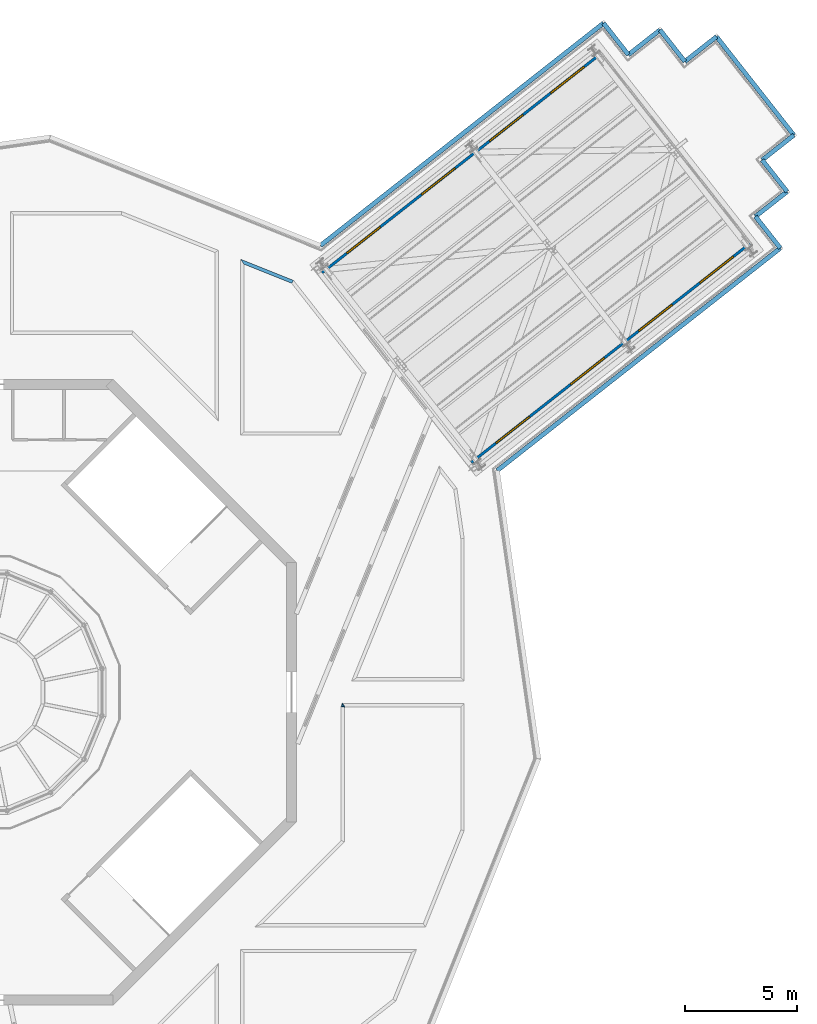
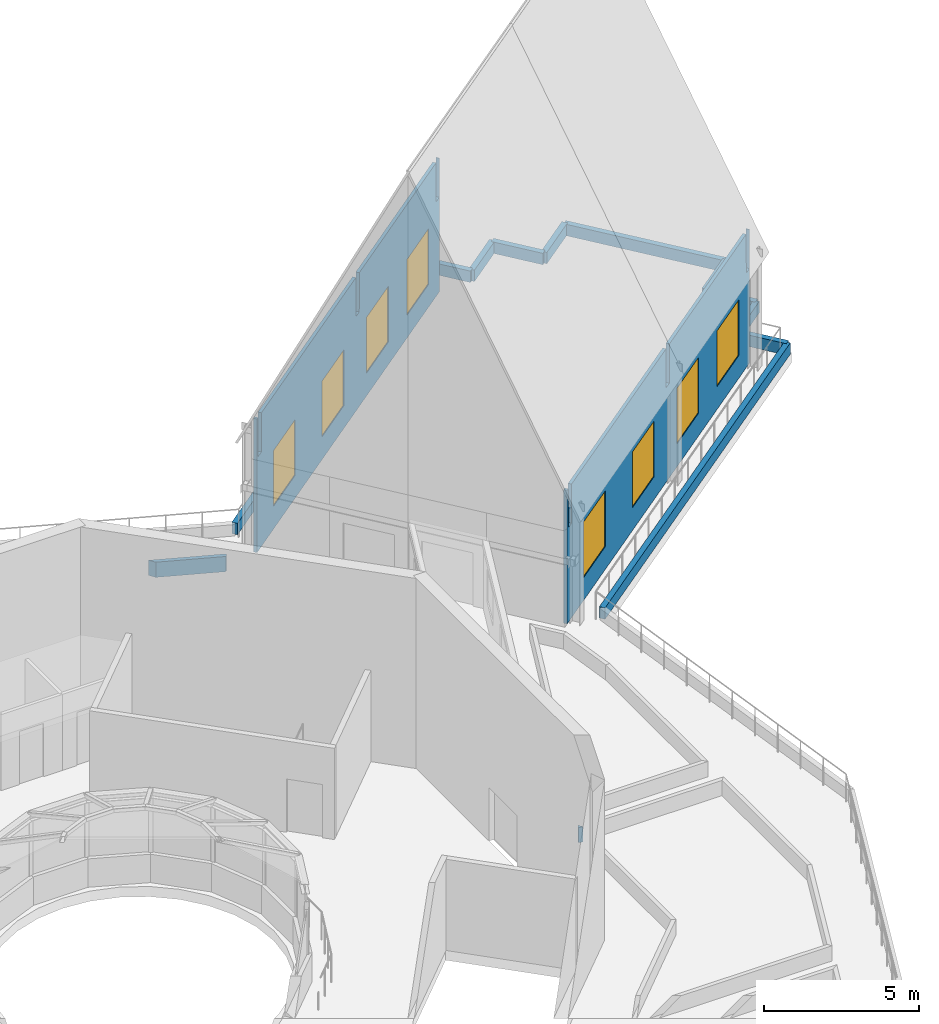
# One storey, part 17 of 32: 15 walls, 8 windows, 8 openings.
"""IFC4 building model written with IfcOpenShell, lengths in metres."""

import ifcopenshell
import ifcopenshell.guid

model = None  # the IFC model being written
_history = None  # IfcOwnerHistory: only IFC2X3 demands one
_inside = {}  # id of a spatial element -> (the spatial element, [elements in it])
_under = {}  # id of a project, library or spatial element -> (it, [spatial elements below it])
_declared = {}  # id of a project -> (the project, [libraries it declares])
_typed = {}  # id of a type object -> (the type object, [elements of that type])
_made_of = {}  # id of a material, layer set ... -> (it, [elements and type objects made of it])


def new_model(schema):
    """Start an empty IFC model of exactly this schema.

    Asked for "IFC4X3", IfcOpenShell would pick the latest addendum, in which some entities
    have other attributes; the version numbers below select the first issue.
    IFC2X3 requires an IfcOwnerHistory on every rooted entity: one is made here for all.
    """
    global model, _history
    if schema == "IFC4X3":
        model = ifcopenshell.file(schema_version=(4, 3, 0, 0))
    else:
        model = ifcopenshell.file(schema=schema)
    _inside.clear()
    _under.clear()
    _declared.clear()
    _typed.clear()
    _made_of.clear()
    _history = None
    if model.schema == "IFC2X3":
        org = make("IfcOrganization", Name="unknown")
        user = make(
            "IfcPersonAndOrganization",
            ThePerson=make("IfcPerson", FamilyName="unknown"),
            TheOrganization=org,
        )
        app = make(
            "IfcApplication",
            ApplicationDeveloper=org,
            Version="unknown",
            ApplicationFullName="unknown",
            ApplicationIdentifier="unknown",
        )
        _history = make(
            "IfcOwnerHistory",
            OwningUser=user,
            OwningApplication=app,
            ChangeAction="ADDED",
            CreationDate=0,
        )
    return model


def make(cls, **values):
    """One entity of the class cls with the attributes given. An attribute that is None is left unset."""
    return model.create_entity(
        cls, **{name: value for name, value in values.items() if value is not None}
    )


def rooted(cls, **values):
    """An entity with a GlobalId (a new one), such as an element, a storey or a relation."""
    return make(cls, GlobalId=ifcopenshell.guid.new(), OwnerHistory=_history, **values)


def si_unit(unit_type, name, prefix=None):
    """IfcSIUnit, for example si_unit("LENGTHUNIT", "METRE", prefix="MILLI")."""
    return make("IfcSIUnit", UnitType=unit_type, Prefix=prefix, Name=name)


def assignment(units):
    """IfcUnitAssignment: the units of a project."""
    return None if units is None else make("IfcUnitAssignment", Units=units)


def point(xyz):
    """IfcCartesianPoint."""
    return None if xyz is None else make("IfcCartesianPoint", Coordinates=xyz)


def direction(xyz):
    """IfcDirection."""
    return None if xyz is None else make("IfcDirection", DirectionRatios=xyz)


def frame(location, z_axis=None, x_axis=None):
    """IfcAxis2Placement3D, a coordinate frame: its origin and axes. An axis left out is left unset."""
    return make(
        "IfcAxis2Placement3D",
        Location=point(location),
        Axis=direction(z_axis),
        RefDirection=direction(x_axis),
    )


def frame_2d(location, x_axis=None):
    """IfcAxis2Placement2D, a coordinate frame in the plane: its origin and x axis."""
    return make(
        "IfcAxis2Placement2D", Location=point(location), RefDirection=direction(x_axis)
    )


def origin():
    """The frame at (0, 0, 0) with its axes left unset."""
    return frame((0.0, 0.0, 0.0))


def place(relative_to, where):
    """IfcLocalPlacement: puts the frame where relative to a parent placement (None: the world)."""
    return make(
        "IfcLocalPlacement", PlacementRelTo=relative_to, RelativePlacement=where
    )


def context(
    kind, dimensions, precision=None, world=None, true_north=None, identifier=None
):
    """IfcGeometricRepresentationContext, for example the 3D "Model" context."""
    return make(
        "IfcGeometricRepresentationContext",
        ContextIdentifier=identifier,
        ContextType=kind,
        CoordinateSpaceDimension=dimensions,
        Precision=precision,
        WorldCoordinateSystem=world,
        TrueNorth=true_north,
    )


def subcontext(parent, identifier, kind, view, scale=None):
    """IfcGeometricRepresentationSubContext, for example "Body" below "Model"."""
    return make(
        "IfcGeometricRepresentationSubContext",
        ContextIdentifier=identifier,
        ContextType=kind,
        ParentContext=parent,
        TargetScale=scale,
        TargetView=view,
    )


def project(units=None, contexts=None):
    """IfcProject with its units and contexts."""
    return rooted(
        "IfcProject",
        Name="project",
        RepresentationContexts=contexts,
        UnitsInContext=assignment(units),
    )


def spatial(cls, under=None, at=None, **own):
    """A site, building, storey or space (cls), placed at a placement, below another one or the project."""
    s = rooted(cls, ObjectPlacement=at, **own)
    if under is not None:
        _under.setdefault(under.id(), (under, []))[1].append(s)
    return s


def polyline(points):
    """IfcPolyline through the points."""
    return make("IfcPolyline", Points=[point(p) for p in points])


def profile(cls, at=None, kind="AREA", **sizes):
    """A parametric profile (cls). Its sizes go by their IFC names, for example OverallWidth=200.0."""
    return make(cls, ProfileType=kind, Position=at, **sizes)


def rectangle(**sizes):
    """IfcRectangleProfileDef."""
    return profile("IfcRectangleProfileDef", **sizes)


def outline(outer, holes=None, kind="AREA"):
    """IfcArbitraryClosedProfileDef: a profile drawn as a closed curve; with holes, ...WithVoids."""
    if holes is None:
        return make("IfcArbitraryClosedProfileDef", ProfileType=kind, OuterCurve=outer)
    return make(
        "IfcArbitraryProfileDefWithVoids",
        ProfileType=kind,
        OuterCurve=outer,
        InnerCurves=holes,
    )


def extrude(swept, where, along, depth):
    """IfcExtrudedAreaSolid: the profile swept, set in the frame where, extruded along a direction by depth."""
    return make(
        "IfcExtrudedAreaSolid",
        SweptArea=swept,
        Position=where,
        ExtrudedDirection=direction(along),
        Depth=depth,
    )


def shape(context_of_items, identifier, shape_type, items):
    """IfcShapeRepresentation: the items that make up one representation, for example the "Body"."""
    return make(
        "IfcShapeRepresentation",
        ContextOfItems=context_of_items,
        RepresentationIdentifier=identifier,
        RepresentationType=shape_type,
        Items=items,
    )


def material(Name=None, Category=None):
    """IfcMaterial."""
    return make("IfcMaterial", Name=Name, Category=Category)


def layer(
    of_material, thickness, ventilated=None, Name=None, Category=None, Priority=None
):
    """IfcMaterialLayer: one layer of a wall or slab, of a material (None: an air gap)."""
    return make(
        "IfcMaterialLayer",
        Material=of_material,
        LayerThickness=thickness,
        IsVentilated=ventilated,
        Name=Name,
        Category=Category,
        Priority=Priority,
    )


def layer_set(layers, Name=None):
    """IfcMaterialLayerSet."""
    return make("IfcMaterialLayerSet", MaterialLayers=layers, LayerSetName=Name)


def made_of(thing, what):
    """Note that an element or type object is made of a material, layer set ...; save() writes the relation."""
    if what is not None:
        _made_of.setdefault(what.id(), (what, []))[1].append(thing)
    return thing


def type_object(cls, material=None, **own):
    """A type object (cls), such as IfcWallType, which elements share."""
    return made_of(rooted(cls, **own), material)


def element(
    cls,
    number,
    at=None,
    inside=None,
    cuts=None,
    type_object=None,
    material=None,
    context=None,
    identifier="Body",
    shape_type=None,
    held_by="IfcProductDefinitionShape",
    body=None,
    shapes=None,
    **own,
):
    """One element of the class cls, such as IfcWall. Its Tag is "e" and its number.

    at: its placement. inside: the storey or other place that contains it. cuts: it is an
    opening in that element (IfcRelVoidsElement). A single representation is given by context,
    identifier, shape_type and body (its items); several are given by shapes. held_by: the class
    of the entity that holds the representations. save() writes the other relations.
    """
    e = rooted(cls, Tag="e%d" % number, ObjectPlacement=at, **own)
    if body is not None:
        shapes = [shape(context, identifier, shape_type, body)]
    if shapes is not None:
        e.Representation = make(held_by, Representations=shapes)
    if inside is not None:
        _inside.setdefault(inside.id(), (inside, []))[1].append(e)
    if cuts is not None:
        rooted(
            "IfcRelVoidsElement", RelatingBuildingElement=cuts, RelatedOpeningElement=e
        )
    if type_object is not None:
        _typed.setdefault(type_object.id(), (type_object, []))[1].append(e)
    return made_of(e, material)


def fill(opening, filler):
    """IfcRelFillsElement: the door or window that sits in an opening."""
    return rooted(
        "IfcRelFillsElement",
        RelatingOpeningElement=opening,
        RelatedBuildingElement=filler,
    )


def aggregate(whole, parts):
    """IfcRelAggregates: a whole, such as a stair, and the parts it consists of."""
    return rooted("IfcRelAggregates", RelatingObject=whole, RelatedObjects=parts)


def save(model, path):
    """Write the relations noted so far, then the file.

    IfcRelAggregates (storeys below a building ...), IfcRelContainedInSpatialStructure (elements
    in a storey), IfcRelDefinesByType, IfcRelAssociatesMaterial and IfcRelDeclares: one each for
    every whole, place, type object, material and project.
    """
    for whole, parts in _under.values():
        aggregate(whole, parts)
    for where, things in _inside.values():
        rooted(
            "IfcRelContainedInSpatialStructure",
            RelatedElements=things,
            RelatingStructure=where,
        )
    for kind, things in _typed.values():
        rooted("IfcRelDefinesByType", RelatedObjects=things, RelatingType=kind)
    for what, things in _made_of.values():
        rooted("IfcRelAssociatesMaterial", RelatedObjects=things, RelatingMaterial=what)
    for by, libraries in _declared.values():
        rooted("IfcRelDeclares", RelatingContext=by, RelatedDefinitions=libraries)
    model.write(path)


model = new_model("IFC4")

# Units and contexts
model_context = context("Model", 3, precision=1e-05, world=origin(), true_north=direction((0.0, 1.0)))
body_context = subcontext(model_context, "Body", "Model", "MODEL_VIEW")
ifc_project = project(units=[si_unit("LENGTHUNIT", "METRE"), si_unit("AREAUNIT", "SQUARE_METRE"), si_unit("VOLUMEUNIT", "CUBIC_METRE"), si_unit("PLANEANGLEUNIT", "RADIAN"), si_unit("MASSUNIT", "GRAM", prefix="KILO")], contexts=[model_context])

# Site, building, storey
site_placement = place(None, origin())
site = spatial("IfcSite", under=ifc_project, at=site_placement, CompositionType="ELEMENT")
building_placement = place(site_placement, origin())
building = spatial("IfcBuilding", under=site, at=building_placement, Name="Verdalira Terraces Hotel", CompositionType="ELEMENT")
storey_placement = place(building_placement, frame((0.0, 0.0, 315.0)))
storey = spatial("IfcBuildingStorey", under=building, at=storey_placement, Name="L78", CompositionType="ELEMENT", Elevation=315.0)

# Walls
ifc_material_1 = material(Name="Concrete C40", Category="concrete")
ifc_layer_1 = layer(ifc_material_1, 0.14990234375)
ifc_layer_set_1 = layer_set([ifc_layer_1], Name="Crown planter trough 150 x 600")
wall_type_1 = type_object("IfcWallType", Name="Crown planter trough 150 x 600", PredefinedType="SOLIDWALL", material=ifc_layer_set_1)
wall_1_placement = place(storey_placement, origin())
element("IfcWall", 1, at=wall_1_placement, inside=storey, type_object=wall_type_1, Name="Crown garden planter", PredefinedType="SOLIDWALL", context=body_context, shape_type="SweptSolid", body=[
    extrude(outline(polyline([(13.873779, 18.418945), (11.5, 19.370361), (11.649902, 19.148682), (13.780762, 18.294922), (13.873779, 18.418945)])), origin(), (0.0, 0.0, 1.0), 0.600098),
])
wall_2_placement = place(storey_placement, origin())
element("IfcWall", 2, at=wall_2_placement, inside=storey, type_object=wall_type_1, Name="Crown garden planter", PredefinedType="SOLIDWALL", context=body_context, shape_type="SweptSolid", body=[
    extrude(outline(polyline([(16.054932, -0.5), (16.0, -0.634766), (16.149902, -0.664062), (16.155762, -0.649902), (16.054932, -0.5)])), origin(), (0.0, 0.0, 1.0), 0.600098),
])
ifc_material_2 = material(Name="Concrete C40", Category="concrete")
ifc_layer_2 = layer(ifc_material_2, 0.199951171875)
ifc_layer_set_2 = layer_set([ifc_layer_2], Name="Crown upstand 200 x 450")
wall_type_2 = type_object("IfcWallType", Name="Crown upstand 200 x 450", PredefinedType="SOLIDWALL", material=ifc_layer_set_2)
wall_3_placement = place(storey_placement, frame((22.98291, 9.92041, 0.0), z_axis=(0.0, 0.0, 1.0), x_axis=(0.786290975, 0.617856378, 0.0)))
element("IfcWall", 3, at=wall_3_placement, inside=storey, type_object=wall_type_2, Name="Crown upstand", PredefinedType="SOLIDWALL", context=body_context, shape_type="SweptSolid", body=[
    extrude(rectangle(XDim=16.099365, YDim=0.199951, at=frame_2d((8.049805, 0.0))), origin(), (0.0, 0.0, 1.0), 0.449951),
])
wall_4_placement = place(storey_placement, frame((35.641602, 19.867432, 0.0), z_axis=(0.0, 0.0, 1.0), x_axis=(-0.617839523, 0.786304218, 0.0)))
element("IfcWall", 4, at=wall_4_placement, inside=storey, type_object=wall_type_2, Name="Crown upstand", PredefinedType="SOLIDWALL", context=body_context, shape_type="SweptSolid", body=[
    extrude(rectangle(XDim=1.799805, YDim=0.199951, at=frame_2d((0.899902, 0.0))), origin(), (0.0, 0.0, 1.0), 0.449951),
])
wall_5_placement = place(storey_placement, frame((34.529541, 21.282715, 0.0), z_axis=(0.0, 0.0, 1.0), x_axis=(0.786238324, 0.617923375, 0.0)))
element("IfcWall", 5, at=wall_5_placement, inside=storey, type_object=wall_type_2, Name="Crown upstand", PredefinedType="SOLIDWALL", context=body_context, shape_type="SweptSolid", body=[
    extrude(rectangle(XDim=1.800049, YDim=0.199951, at=frame_2d((0.899902, 0.0))), origin(), (0.0, 0.0, 1.0), 0.449951),
])
for number, where, z_axis, x_axis, name in (
    (6, (35.944824, 22.39502, 0.0), (0.0, 0.0, 1.0), (-0.617839523, 0.786304218, 0.0), "Crown upstand"),
    (7, (34.832764, 23.810303, 0.0), (0.0, 0.0, 1.0), (0.786304218, 0.617839523, 0.0), "Crown upstand"),
):
    element("IfcWall", number, at=place(storey_placement, frame(where, z_axis=z_axis, x_axis=x_axis)), inside=storey, type_object=wall_type_2, Name=name, PredefinedType="SOLIDWALL", context=body_context, shape_type="SweptSolid", body=[
        extrude(rectangle(XDim=1.799805, YDim=0.199951, at=frame_2d((0.899902, 0.0))), origin(), (0.0, 0.0, 1.0), 0.449951),
    ])
wall_6_placement = place(storey_placement, frame((36.248047, 24.922363, 0.0), z_axis=(0.0, 0.0, 1.0), x_axis=(-0.617844656, 0.786300185, 0.0)))
element("IfcWall", 8, at=wall_6_placement, inside=storey, type_object=wall_type_2, Name="Crown upstand", PredefinedType="SOLIDWALL", context=body_context, shape_type="SweptSolid", body=[
    extrude(rectangle(XDim=5.600098, YDim=0.199951, at=frame_2d((2.800049, 0.0))), origin(), (0.0, 0.0, 1.0), 0.449951),
])
wall_7_placement = place(storey_placement, frame((32.788086, 29.325684, 0.0), z_axis=(0.0, 0.0, 1.0), x_axis=(-0.786238324, -0.617923375, 0.0)))
element("IfcWall", 9, at=wall_7_placement, inside=storey, type_object=wall_type_2, Name="Crown upstand", PredefinedType="SOLIDWALL", context=body_context, shape_type="SweptSolid", body=[
    extrude(rectangle(XDim=1.800049, YDim=0.199951, at=frame_2d((0.899902, 0.0))), origin(), (0.0, 0.0, 1.0), 0.449951),
])
wall_8_placement = place(storey_placement, frame((31.372803, 28.213379, 0.0), z_axis=(0.0, 0.0, 1.0), x_axis=(-0.617857487, 0.786290103, 0.0)))
element("IfcWall", 10, at=wall_8_placement, inside=storey, type_object=wall_type_2, Name="Crown upstand", PredefinedType="SOLIDWALL", context=body_context, shape_type="SweptSolid", body=[
    extrude(rectangle(XDim=1.800293, YDim=0.199951, at=frame_2d((0.900146, 0.0))), origin(), (0.0, 0.0, 1.0), 0.449951),
])
wall_9_placement = place(storey_placement, frame((30.260498, 29.628906, 0.0), z_axis=(0.0, 0.0, 1.0), x_axis=(-0.786238324, -0.617923375, 0.0)))
element("IfcWall", 11, at=wall_9_placement, inside=storey, type_object=wall_type_2, Name="Crown upstand", PredefinedType="SOLIDWALL", context=body_context, shape_type="SweptSolid", body=[
    extrude(rectangle(XDim=1.800049, YDim=0.199951, at=frame_2d((0.899902, 0.0))), origin(), (0.0, 0.0, 1.0), 0.449951),
])
wall_10_placement = place(storey_placement, frame((28.845215, 28.516602, 0.0), z_axis=(0.0, 0.0, 1.0), x_axis=(-0.617839523, 0.786304218, 0.0)))
element("IfcWall", 12, at=wall_10_placement, inside=storey, type_object=wall_type_2, Name="Crown upstand", PredefinedType="SOLIDWALL", context=body_context, shape_type="SweptSolid", body=[
    extrude(rectangle(XDim=1.799805, YDim=0.199951, at=frame_2d((0.899902, 0.0))), origin(), (0.0, 0.0, 1.0), 0.449951),
])
wall_11_placement = place(storey_placement, frame((27.733154, 29.931885, 0.0), z_axis=(0.0, 0.0, 1.0), x_axis=(-0.786296764, -0.61784901, 0.0)))
element("IfcWall", 13, at=wall_11_placement, inside=storey, type_object=wall_type_2, Name="Crown upstand", PredefinedType="SOLIDWALL", context=body_context, shape_type="SweptSolid", body=[
    extrude(rectangle(XDim=16.099365, YDim=0.199951, at=frame_2d((8.049805, 0.0))), origin(), (0.0, 0.0, 1.0), 0.449951),
])

# Wall, openings, windows
ifc_material_3 = material(Name="Concrete C40", Category="concrete")
ifc_layer_3 = layer(ifc_material_3, 0.1201171875)
ifc_layer_set_3 = layer_set([ifc_layer_3], Name="Pavilion side wall G3 120 mm")
wall_type_3 = type_object("IfcWallType", Name="Pavilion side wall G3 120 mm", PredefinedType="SOLIDWALL", material=ifc_layer_set_3)
wall_12_placement = place(storey_placement, frame((15.143311, 18.76709, 0.0), z_axis=(0.0, 0.0, 1.0), x_axis=(0.786289484, 0.617858275, 0.0)))
wall_12 = element("IfcWall", 14, at=wall_12_placement, inside=storey, type_object=wall_type_3, Name="Garden pavilion side wall G3a", PredefinedType="SOLIDWALL", context=body_context, shape_type="SweptSolid", body=[
    extrude(outline(polyline([(0.0, 0.0), (15.854492, 0.0), (15.854492, 5.273438), (15.838379, 5.273438), (15.837402, 3.730957), (15.558594, 3.730957), (15.557617, 5.273438), (8.880127, 5.273438), (8.87915, 3.730957), (8.600098, 3.730957), (8.599121, 5.273438), (0.377686, 5.273438), (0.376709, 3.730957), (0.097656, 3.730957), (0.09668, 5.273438), (0.0, 5.273438), (0.0, 0.0)])), frame((0.0, 0.060059, 0.0), z_axis=(0.0, -1.0, 0.0), x_axis=(1.0, 0.0, 0.0)), (0.0, 0.0, 1.0), 0.120117),
])
opening_1_placement = place(wall_12_placement, frame((1.412354, 0.0, 0.899902)))
opening_1 = element("IfcOpeningElement", 15, at=opening_1_placement, cuts=wall_12, Name="Opening WGW", PredefinedType="OPENING", context=body_context, shape_type="SweptSolid", body=[
    extrude(rectangle(XDim=1.899902, YDim=2.199951, at=frame_2d((0.949951, 1.100098))), frame((0.0, 0.070068, 0.0), z_axis=(0.0, -1.0, 0.0), x_axis=(1.0, 0.0, 0.0)), (0.0, 0.0, 1.0), 0.140137),
])
opening_2_placement = place(wall_12_placement, frame((5.663574, 0.0, 0.899902)))
opening_2 = element("IfcOpeningElement", 16, at=opening_2_placement, cuts=wall_12, Name="Opening WGW", PredefinedType="OPENING", context=body_context, shape_type="SweptSolid", body=[
    extrude(rectangle(XDim=1.899902, YDim=2.199951, at=frame_2d((0.949951, 1.100098))), frame((0.0, 0.070068, 0.0), z_axis=(0.0, -1.0, 0.0), x_axis=(1.0, 0.0, 0.0)), (0.0, 0.0, 1.0), 0.140137),
])
opening_3_placement = place(wall_12_placement, frame((9.528809, 0.0, 0.899902)))
opening_3 = element("IfcOpeningElement", 17, at=opening_3_placement, cuts=wall_12, Name="Opening WGW", PredefinedType="OPENING", context=body_context, shape_type="SweptSolid", body=[
    extrude(rectangle(XDim=1.899902, YDim=2.199951, at=frame_2d((0.949951, 1.100098))), frame((0.0, 0.070068, 0.0), z_axis=(0.0, -1.0, 0.0), x_axis=(1.0, 0.0, 0.0)), (0.0, 0.0, 1.0), 0.140137),
])
opening_4_placement = place(wall_12_placement, frame((13.007812, 0.0, 0.899902)))
opening_4 = element("IfcOpeningElement", 18, at=opening_4_placement, cuts=wall_12, Name="Opening WGW", PredefinedType="OPENING", context=body_context, shape_type="SweptSolid", body=[
    extrude(rectangle(XDim=1.899902, YDim=2.199951, at=frame_2d((0.949951, 1.100098))), frame((0.0, 0.070068, 0.0), z_axis=(0.0, -1.0, 0.0), x_axis=(1.0, 0.0, 0.0)), (0.0, 0.0, 1.0), 0.140137),
])
ifc_material_4 = material(Name="Clear laminated glass", Category="glass")
window_type = type_object("IfcWindowType", Name="Pavilion window 1900 x 2200", PartitioningType="DOUBLE_PANEL_HORIZONTAL", PredefinedType="WINDOW", material=ifc_material_4)
window_1_placement = place(opening_1_placement, origin())
window_1 = element("IfcWindow", 19, at=window_1_placement, inside=storey, type_object=window_type, Name="Garden pavilion window", OverallHeight=2.199951171875, OverallWidth=1.89990234375, PartitioningType="DOUBLE_PANEL_HORIZONTAL", PredefinedType="WINDOW", context=body_context, shape_type="SweptSolid", body=[
    extrude(rectangle(XDim=1.899902, YDim=2.199951, at=frame_2d((0.949951, 1.100098))), frame((0.0, 0.030029, 0.0), z_axis=(0.0, -1.0, 0.0), x_axis=(1.0, 0.0, 0.0)), (0.0, 0.0, 1.0), 0.060059),
])
fill(opening_1, window_1)
window_2_placement = place(opening_2_placement, origin())
window_2 = element("IfcWindow", 20, at=window_2_placement, inside=storey, type_object=window_type, Name="Garden pavilion window", OverallHeight=2.199951171875, OverallWidth=1.89990234375, PartitioningType="DOUBLE_PANEL_HORIZONTAL", PredefinedType="WINDOW", context=body_context, shape_type="SweptSolid", body=[
    extrude(rectangle(XDim=1.899902, YDim=2.199951, at=frame_2d((0.949951, 1.100098))), frame((0.0, 0.030029, 0.0), z_axis=(0.0, -1.0, 0.0), x_axis=(1.0, 0.0, 0.0)), (0.0, 0.0, 1.0), 0.060059),
])
fill(opening_2, window_2)
window_3_placement = place(opening_3_placement, origin())
window_3 = element("IfcWindow", 21, at=window_3_placement, inside=storey, type_object=window_type, Name="Garden pavilion window", OverallHeight=2.199951171875, OverallWidth=1.89990234375, PartitioningType="DOUBLE_PANEL_HORIZONTAL", PredefinedType="WINDOW", context=body_context, shape_type="SweptSolid", body=[
    extrude(rectangle(XDim=1.899902, YDim=2.199951, at=frame_2d((0.949951, 1.100098))), frame((0.0, 0.030029, 0.0), z_axis=(0.0, -1.0, 0.0), x_axis=(1.0, 0.0, 0.0)), (0.0, 0.0, 1.0), 0.060059),
])
fill(opening_3, window_3)
window_4_placement = place(opening_4_placement, origin())
window_4 = element("IfcWindow", 22, at=window_4_placement, inside=storey, type_object=window_type, Name="Garden pavilion window", OverallHeight=2.199951171875, OverallWidth=1.89990234375, PartitioningType="DOUBLE_PANEL_HORIZONTAL", PredefinedType="WINDOW", context=body_context, shape_type="SweptSolid", body=[
    extrude(rectangle(XDim=1.899902, YDim=2.199951, at=frame_2d((0.949951, 1.100098))), frame((0.0, 0.030029, 0.0), z_axis=(0.0, -1.0, 0.0), x_axis=(1.0, 0.0, 0.0)), (0.0, 0.0, 1.0), 0.060059),
])
fill(opening_4, window_4)

wall_13_placement = place(storey_placement, frame((21.816162, 10.275391, 0.0), z_axis=(0.0, 0.0, 1.0), x_axis=(0.786296965, 0.617848755, 0.0)))
wall_13 = element("IfcWall", 23, at=wall_13_placement, inside=storey, type_object=wall_type_3, Name="Garden pavilion side wall G3b", PredefinedType="SOLIDWALL", context=body_context, shape_type="SweptSolid", body=[
    extrude(outline(polyline([(0.0, 0.0), (15.854492, 0.0), (15.854492, 5.273438), (15.838379, 5.273438), (15.837402, 3.730957), (15.558594, 3.730957), (15.557617, 5.273438), (8.880127, 5.273438), (8.87915, 3.730957), (8.600098, 3.730957), (8.599121, 5.273438), (0.377686, 5.273438), (0.376709, 3.730957), (0.097656, 3.730957), (0.09668, 5.273438), (0.0, 5.273438), (0.0, 0.0)])), frame((0.0, 0.060059, 0.0), z_axis=(0.0, -1.0, 0.0), x_axis=(1.0, 0.0, 0.0)), (0.0, 0.0, 1.0), 0.120117),
])
opening_5_placement = place(wall_13_placement, frame((1.412354, 0.0, 0.899902)))
opening_5 = element("IfcOpeningElement", 24, at=opening_5_placement, cuts=wall_13, Name="Opening WGW", PredefinedType="OPENING", context=body_context, shape_type="SweptSolid", body=[
    extrude(rectangle(XDim=1.899902, YDim=2.199951, at=frame_2d((0.949951, 1.100098))), frame((0.0, 0.070068, 0.0), z_axis=(0.0, -1.0, 0.0), x_axis=(1.0, 0.0, 0.0)), (0.0, 0.0, 1.0), 0.140137),
])
opening_6_placement = place(wall_13_placement, frame((5.663574, 0.0, 0.899902)))
opening_6 = element("IfcOpeningElement", 25, at=opening_6_placement, cuts=wall_13, Name="Opening WGW", PredefinedType="OPENING", context=body_context, shape_type="SweptSolid", body=[
    extrude(rectangle(XDim=1.899902, YDim=2.199951, at=frame_2d((0.949951, 1.100098))), frame((0.0, 0.070068, 0.0), z_axis=(0.0, -1.0, 0.0), x_axis=(1.0, 0.0, 0.0)), (0.0, 0.0, 1.0), 0.140137),
])
opening_7_placement = place(wall_13_placement, frame((9.528809, 0.0, 0.899902)))
opening_7 = element("IfcOpeningElement", 26, at=opening_7_placement, cuts=wall_13, Name="Opening WGW", PredefinedType="OPENING", context=body_context, shape_type="SweptSolid", body=[
    extrude(rectangle(XDim=1.899902, YDim=2.199951, at=frame_2d((0.949951, 1.100098))), frame((0.0, 0.070068, 0.0), z_axis=(0.0, -1.0, 0.0), x_axis=(1.0, 0.0, 0.0)), (0.0, 0.0, 1.0), 0.140137),
])
opening_8_placement = place(wall_13_placement, frame((13.007812, 0.0, 0.899902)))
opening_8 = element("IfcOpeningElement", 27, at=opening_8_placement, cuts=wall_13, Name="Opening WGW", PredefinedType="OPENING", context=body_context, shape_type="SweptSolid", body=[
    extrude(rectangle(XDim=1.899902, YDim=2.199951, at=frame_2d((0.949951, 1.100098))), frame((0.0, 0.070068, 0.0), z_axis=(0.0, -1.0, 0.0), x_axis=(1.0, 0.0, 0.0)), (0.0, 0.0, 1.0), 0.140137),
])
window_5_placement = place(opening_5_placement, origin())
window_5 = element("IfcWindow", 28, at=window_5_placement, inside=storey, type_object=window_type, Name="Garden pavilion window", OverallHeight=2.199951171875, OverallWidth=1.89990234375, PartitioningType="DOUBLE_PANEL_HORIZONTAL", PredefinedType="WINDOW", context=body_context, shape_type="SweptSolid", body=[
    extrude(rectangle(XDim=1.899902, YDim=2.199951, at=frame_2d((0.949951, 1.100098))), frame((0.0, 0.030029, 0.0), z_axis=(0.0, -1.0, 0.0), x_axis=(1.0, 0.0, 0.0)), (0.0, 0.0, 1.0), 0.060059),
])
fill(opening_5, window_5)
window_6_placement = place(opening_6_placement, origin())
window_6 = element("IfcWindow", 29, at=window_6_placement, inside=storey, type_object=window_type, Name="Garden pavilion window", OverallHeight=2.199951171875, OverallWidth=1.89990234375, PartitioningType="DOUBLE_PANEL_HORIZONTAL", PredefinedType="WINDOW", context=body_context, shape_type="SweptSolid", body=[
    extrude(rectangle(XDim=1.899902, YDim=2.199951, at=frame_2d((0.949951, 1.100098))), frame((0.0, 0.030029, 0.0), z_axis=(0.0, -1.0, 0.0), x_axis=(1.0, 0.0, 0.0)), (0.0, 0.0, 1.0), 0.060059),
])
fill(opening_6, window_6)
window_7_placement = place(opening_7_placement, origin())
window_7 = element("IfcWindow", 30, at=window_7_placement, inside=storey, type_object=window_type, Name="Garden pavilion window", OverallHeight=2.199951171875, OverallWidth=1.89990234375, PartitioningType="DOUBLE_PANEL_HORIZONTAL", PredefinedType="WINDOW", context=body_context, shape_type="SweptSolid", body=[
    extrude(rectangle(XDim=1.899902, YDim=2.199951, at=frame_2d((0.949951, 1.100098))), frame((0.0, 0.030029, 0.0), z_axis=(0.0, -1.0, 0.0), x_axis=(1.0, 0.0, 0.0)), (0.0, 0.0, 1.0), 0.060059),
])
fill(opening_7, window_7)
window_8_placement = place(opening_8_placement, origin())
window_8 = element("IfcWindow", 31, at=window_8_placement, inside=storey, type_object=window_type, Name="Garden pavilion window", OverallHeight=2.199951171875, OverallWidth=1.89990234375, PartitioningType="DOUBLE_PANEL_HORIZONTAL", PredefinedType="WINDOW", context=body_context, shape_type="SweptSolid", body=[
    extrude(rectangle(XDim=1.899902, YDim=2.199951, at=frame_2d((0.949951, 1.100098))), frame((0.0, 0.030029, 0.0), z_axis=(0.0, -1.0, 0.0), x_axis=(1.0, 0.0, 0.0)), (0.0, 0.0, 1.0), 0.060059),
])
fill(opening_8, window_8)

save(model, "model.ifc")
